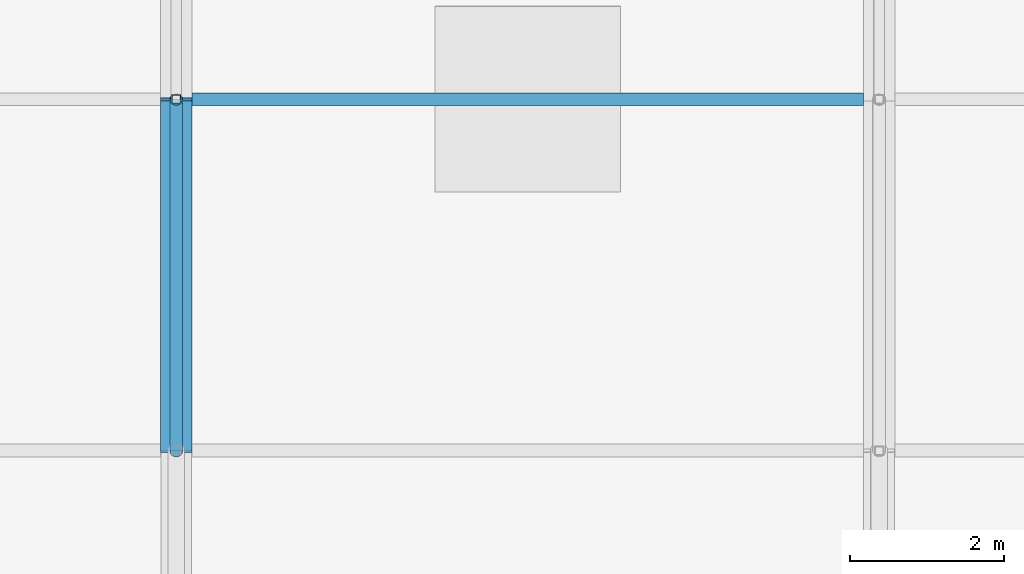
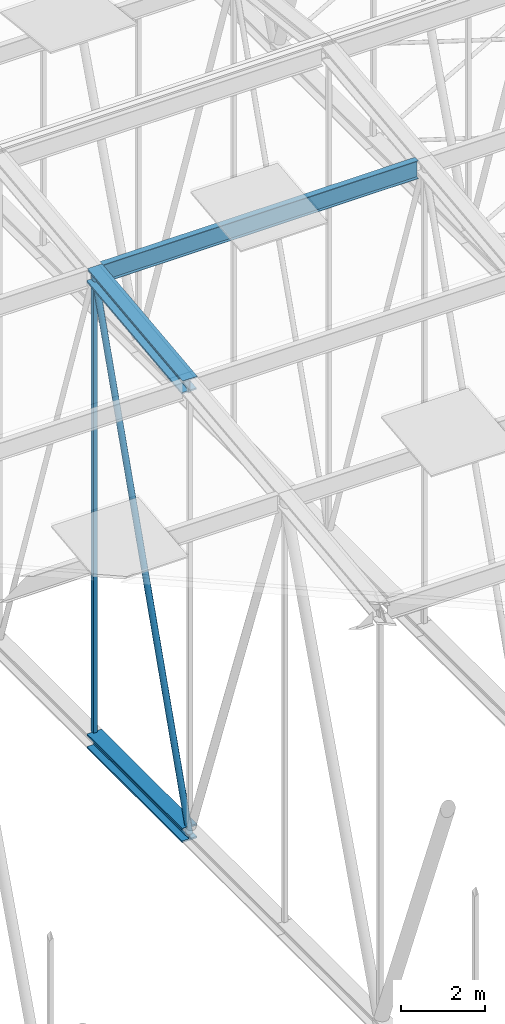
# One storey, part 142 of 500: 5 members.
"""IFC4 building model written with IfcOpenShell, lengths in metres."""

from ifc_helpers import new_model, si_unit, direction, frame, origin, origin_2d, place, context, subcontext, project, spatial, hollow_rectangle, hollow_circle, i_section, extrude, material, material_profile, profile_set, type_object, element, save


model = new_model("IFC4")

# Units and contexts
model_context = context("Model", 3, precision=1e-05, world=origin(), true_north=direction((0.0, 1.0)))
body_context = subcontext(model_context, "Body", "Model", "MODEL_VIEW")
ifc_project = project(units=[si_unit("LENGTHUNIT", "METRE"), si_unit("AREAUNIT", "SQUARE_METRE"), si_unit("VOLUMEUNIT", "CUBIC_METRE"), si_unit("PLANEANGLEUNIT", "RADIAN"), si_unit("MASSUNIT", "GRAM", prefix="KILO")], contexts=[model_context])

# Site, building, storey
site_placement = place(None, origin())
site = spatial("IfcSite", under=ifc_project, at=site_placement, CompositionType="ELEMENT")
building_placement = place(site_placement, origin())
building = spatial("IfcBuilding", under=site, at=building_placement, Name="Shirokan Park Arena", CompositionType="ELEMENT")
storey_placement = place(building_placement, frame((0.0, 0.0, 29.1201171875)))
storey = spatial("IfcBuildingStorey", under=building, at=storey_placement, Name="L06", CompositionType="ELEMENT", Elevation=29.1201171875)

# Members
ifc_material_1 = material(Name="Steel ASTM A992", Category="steel")
ifc_material_profile_1 = material_profile(ifc_material_1, i_section(OverallWidth=0.406005859375, OverallDepth=0.4169921875, WebThickness=0.030029296875, FlangeThickness=0.048095703125, at=origin_2d()), Name="W360X382")
ifc_profile_set_1 = profile_set([ifc_material_profile_1], Name="Steel ASTM A992")
member_type_1 = type_object("IfcMemberType", Name="Bottom chord W360X382", PredefinedType="CHORD", material=ifc_profile_set_1)
member_1_placement = place(storey_placement, frame((72.800048828125, 45.5, 4.677001953125), z_axis=(0.0, 1.0, 0.0), x_axis=(-1.0, 0.0, 0.0)))
element("IfcMember", 1, at=member_1_placement, inside=storey, type_object=member_type_1, Name="Truss T09 bottom chord 13", PredefinedType="CHORD", context=body_context, shape_type="SweptSolid", body=[
    extrude(i_section(OverallWidth=0.406005859375, OverallDepth=0.4169921875, WebThickness=0.030029296875, FlangeThickness=0.048095703125, at=origin_2d()), origin(), (0.0, 0.0, 1.0), 4.550048828125),
])
ifc_material_profile_2 = material_profile(ifc_material_1, i_section(OverallWidth=0.166015625, OverallDepth=0.528076171875, WebThickness=0.009765625, FlangeThickness=0.013671875, at=origin_2d()), Name="W530X74")
ifc_profile_set_2 = profile_set([ifc_material_profile_2], Name="Steel ASTM A992")
member_type_2 = type_object("IfcMemberType", Name="Purlin W530X74", PredefinedType="PURLIN", material=ifc_profile_set_2)
member_2_placement = place(storey_placement, frame((73.0029296875, 50.050048828125, 18.205810546875), z_axis=(1.0, 0.0, 0.0), x_axis=(0.0, 1.0, 0.0)))
element("IfcMember", 2, at=member_2_placement, inside=storey, type_object=member_type_2, Name="Purlin 14 bay 9", PredefinedType="PURLIN", context=body_context, shape_type="SweptSolid", body=[
    extrude(i_section(OverallWidth=0.166015625, OverallDepth=0.528076171875, WebThickness=0.009765625, FlangeThickness=0.013671875, at=origin_2d()), origin(), (0.0, 0.0, 1.0), 8.694091796875),
])
ifc_material_profile_3 = material_profile(ifc_material_1, i_section(OverallWidth=0.406005859375, OverallDepth=0.4169921875, WebThickness=0.030029296875, FlangeThickness=0.048095703125, at=origin_2d()), Name="W360X382")
ifc_profile_set_3 = profile_set([ifc_material_profile_3], Name="Steel ASTM A992")
member_type_3 = type_object("IfcMemberType", Name="Top chord W360X382", PredefinedType="CHORD", material=ifc_profile_set_3)
member_3_placement = place(storey_placement, frame((72.800048828125, 45.5, 17.741455078125), z_axis=(0.0, 0.993532328996, 0.113549598152), x_axis=(-1.0, 0.0, 0.0)))
element("IfcMember", 3, at=member_3_placement, inside=storey, type_object=member_type_3, Name="Truss T09 top chord 13", PredefinedType="CHORD", context=body_context, shape_type="SweptSolid", body=[
    extrude(i_section(OverallWidth=0.406005859375, OverallDepth=0.4169921875, WebThickness=0.030029296875, FlangeThickness=0.048095703125, at=origin_2d()), origin(), (0.0, 0.0, 1.0), 4.57958984375),
])
ifc_material_2 = material(Name="Steel ASTM A500 Grade C", Category="steel")
ifc_material_profile_4 = material_profile(ifc_material_2, hollow_circle(Radius=0.083984375, WallThickness=0.009521484375, at=origin_2d()), Name="HSS168.3X9.5")
ifc_profile_set_4 = profile_set([ifc_material_profile_4], Name="Steel ASTM A500 Grade C")
member_type_4 = type_object("IfcMemberType", Name="Truss diagonal HSS168.3X9.5", PredefinedType="BRACE", material=ifc_profile_set_4)
member_4_placement = place(storey_placement, frame((72.800048828125, 45.5, 4.677001953125), z_axis=(0.0, 0.317602683872, 0.948223884532), x_axis=(-1.0, 0.0, 0.0)))
element("IfcMember", 4, at=member_4_placement, inside=storey, type_object=member_type_4, Name="Truss T09 diagonal 13", PredefinedType="BRACE", context=body_context, shape_type="SweptSolid", body=[
    extrude(hollow_circle(Radius=0.083984375, WallThickness=0.009521484375, at=origin_2d()), origin(), (0.0, 0.0, 1.0), 14.326171875),
])
ifc_material_profile_5 = material_profile(ifc_material_2, hollow_rectangle(XDim=0.114013671875, YDim=0.114013671875, WallThickness=0.00634765625, at=origin_2d()), Name="HSS114.3X114.3X6.4")
ifc_profile_set_5 = profile_set([ifc_material_profile_5], Name="Steel ASTM A500 Grade C")
member_type_5 = type_object("IfcMemberType", Name="Truss post HSS114.3X114.3X6.4", PredefinedType="POST", material=ifc_profile_set_5)
member_5_placement = place(storey_placement, frame((72.800048828125, 50.050048828125, 4.677001953125), z_axis=(0.0, 0.0, 1.0), x_axis=(1.0, 0.0, 0.0)))
element("IfcMember", 5, at=member_5_placement, inside=storey, type_object=member_type_5, Name="Truss T09 post 14", PredefinedType="POST", context=body_context, shape_type="SweptSolid", body=[
    extrude(hollow_rectangle(XDim=0.114013671875, YDim=0.114013671875, WallThickness=0.00634765625, at=origin_2d()), origin(), (0.0, 0.0, 1.0), 13.58447265625),
])

save(model, "model.ifc")
